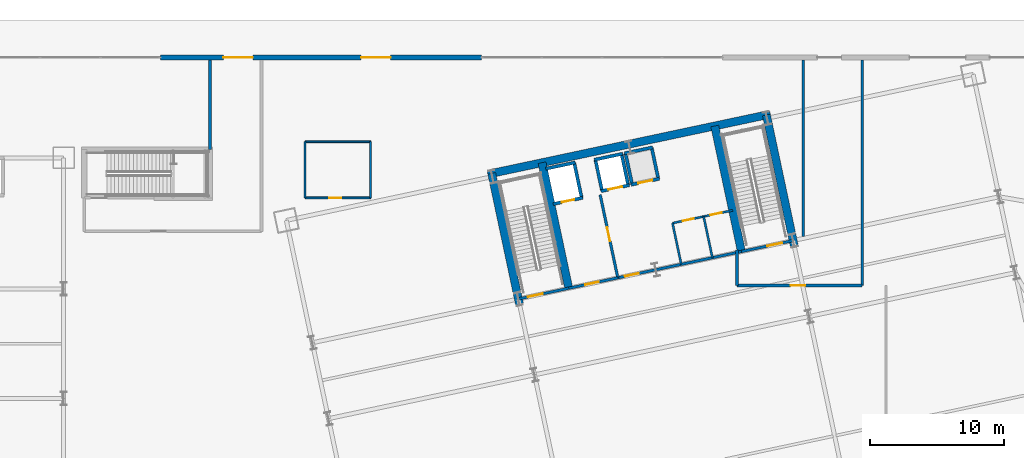
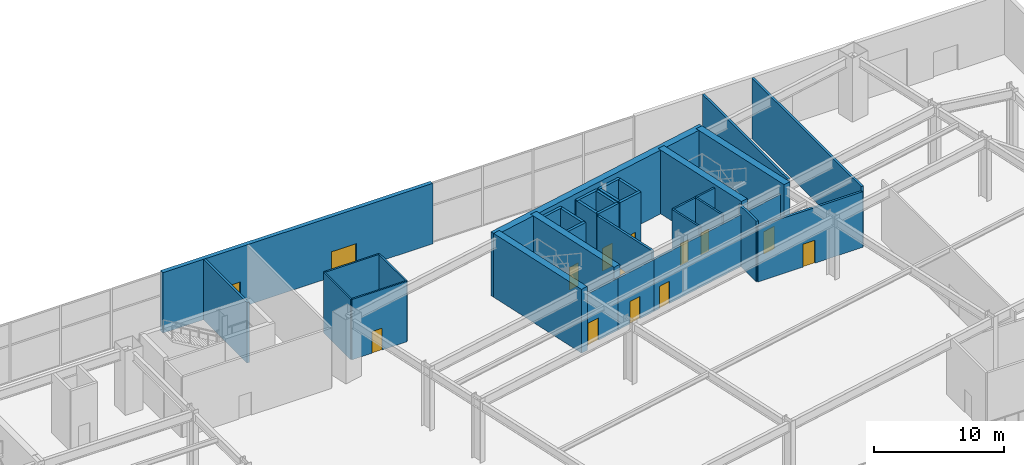
# One storey, part 23 of 30: 34 walls, 14 doors, 14 openings.
"""IFC4 building model written with IfcOpenShell, lengths in metres."""

from ifc_helpers import new_model, si_unit, direction, frame, frame_2d, origin, place, context, subcontext, project, spatial, rectangle, extrude, material, layer, layer_set, type_object, element, fill, save


model = new_model("IFC4")

# Units and contexts
model_context = context("Model", 3, precision=1e-05, world=origin(), true_north=direction((0.0, 1.0)))
body_context = subcontext(model_context, "Body", "Model", "MODEL_VIEW")
ifc_project = project(units=[si_unit("LENGTHUNIT", "METRE"), si_unit("AREAUNIT", "SQUARE_METRE"), si_unit("VOLUMEUNIT", "CUBIC_METRE"), si_unit("PLANEANGLEUNIT", "RADIAN"), si_unit("MASSUNIT", "GRAM", prefix="KILO")], contexts=[model_context])

# Site, building, storey
site_placement = place(None, origin())
site = spatial("IfcSite", under=ifc_project, at=site_placement, CompositionType="ELEMENT")
building_placement = place(site_placement, origin())
building = spatial("IfcBuilding", under=site, at=building_placement, Name="Haevon Station Towers", CompositionType="ELEMENT")
storey_placement = place(building_placement, origin())
storey = spatial("IfcBuildingStorey", under=building, at=storey_placement, Name="L00", CompositionType="ELEMENT", Elevation=0.0)

# Wall, opening, door
ifc_material_1 = material(Name="Gypsum board on steel stud", Category="steel")
ifc_layer_1 = layer(ifc_material_1, 0.199951171875)
ifc_layer_set_1 = layer_set([ifc_layer_1], Name="Gypsum board on steel stud")
wall_type_1 = type_object("IfcWallType", Name="WL-COR200", PredefinedType="PARTITIONING", material=ifc_layer_set_1)
wall_1_placement = place(storey_placement, frame((102.518310546875, 38.242919921875, 0.0), z_axis=(0.0, 0.0, 1.0), x_axis=(-0.978143537786, -0.207930804564, 0.0)))
wall_1 = element("IfcWall", 1, at=wall_1_placement, inside=storey, type_object=wall_type_1, Name="WL-ST-ST3-L00", PredefinedType="PARTITIONING", context=body_context, shape_type="SweptSolid", body=[
    extrude(rectangle(XDim=3.85009765625, YDim=0.199951171875, at=frame_2d((1.925048828125, 0.0))), origin(), (0.0, 0.0, 1.0), 4.8798828125),
])
opening_1_placement = place(wall_1_placement, frame((2.0, 0.0, 0.0)))
opening_1 = element("IfcOpeningElement", 2, at=opening_1_placement, cuts=wall_1, Name="Opening DR-ST-ST3-L00", PredefinedType="OPENING", context=body_context, shape_type="SweptSolid", body=[
    extrude(rectangle(XDim=1.1201171875, YDim=2.10009765625, at=frame_2d((0.56005859375, 1.050048828125))), frame((0.0, 0.10986328125, 0.0), z_axis=(0.0, -1.0, 0.0), x_axis=(1.0, 0.0, 0.0)), (0.0, 0.0, 1.0), 0.219970703125),
])
ifc_material_2 = material(Name="Engineered oak timber", Category="wood")
door_type_1 = type_object("IfcDoorType", Name="DR-ST-1120", OperationType="NOTDEFINED", PredefinedType="DOOR", material=ifc_material_2)
door_1_placement = place(opening_1_placement, origin())
door_1 = element("IfcDoor", 3, at=door_1_placement, inside=storey, type_object=door_type_1, Name="L00 Escape Stair ST3 Fire Door", OperationType="SINGLE_SWING_RIGHT", OverallHeight=2.10009765625, OverallWidth=1.1201171875, PredefinedType="DOOR", context=body_context, shape_type="SweptSolid", body=[
    extrude(rectangle(XDim=1.1201171875, YDim=2.10009765625, at=frame_2d((0.56005859375, 1.050048828125))), frame((0.0, 0.02490234375, 0.0), z_axis=(0.0, -1.0, 0.0), x_axis=(1.0, 0.0, 0.0)), (0.0, 0.0, 1.0), 0.050048828125),
])
fill(opening_1, door_1)

wall_2_placement = place(storey_placement, frame((119.29345703125, 41.80859375, 0.0), z_axis=(0.0, 0.0, 1.0), x_axis=(-0.978146596989, -0.207916413008, 0.0)))
wall_2 = element("IfcWall", 4, at=wall_2_placement, inside=storey, type_object=wall_type_1, Name="WL-ST-ST4-L00", PredefinedType="PARTITIONING", context=body_context, shape_type="SweptSolid", body=[
    extrude(rectangle(XDim=3.9501953125, YDim=0.199951171875, at=frame_2d((1.97509765625, 0.0))), origin(), (0.0, 0.0, 1.0), 4.8798828125),
])
opening_2_placement = place(wall_2_placement, frame((0.85009765625, 0.0, 0.0)))
opening_2 = element("IfcOpeningElement", 5, at=opening_2_placement, cuts=wall_2, Name="Opening DR-ST-ST4-L00", PredefinedType="OPENING", context=body_context, shape_type="SweptSolid", body=[
    extrude(rectangle(XDim=1.1201171875, YDim=2.10009765625, at=frame_2d((0.56005859375, 1.050048828125))), frame((0.0, 0.10986328125, 0.0), z_axis=(0.0, -1.0, 0.0), x_axis=(1.0, 0.0, 0.0)), (0.0, 0.0, 1.0), 0.219970703125),
])
door_2_placement = place(opening_2_placement, origin())
door_2 = element("IfcDoor", 6, at=door_2_placement, inside=storey, type_object=door_type_1, Name="L00 Escape Stair ST4 Fire Door", OperationType="SINGLE_SWING_LEFT", OverallHeight=2.10009765625, OverallWidth=1.1201171875, PredefinedType="DOOR", context=body_context, shape_type="SweptSolid", body=[
    extrude(rectangle(XDim=1.1201171875, YDim=2.10009765625, at=frame_2d((0.56005859375, 1.050048828125))), frame((0.0, 0.02490234375, 0.0), z_axis=(0.0, -1.0, 0.0), x_axis=(1.0, 0.0, 0.0)), (0.0, 0.0, 1.0), 0.050048828125),
])
fill(opening_2, door_2)

wall_3_placement = place(storey_placement, frame((106.186279296875, 39.0224609375, 0.0), z_axis=(0.0, 0.0, 1.0), x_axis=(-0.207916691923, 0.978146537703, 0.0)))
wall_3 = element("IfcWall", 7, at=wall_3_placement, inside=storey, type_object=wall_type_1, Name="WL-T2FFL-L00-E", PredefinedType="PARTITIONING", context=body_context, shape_type="SweptSolid", body=[
    extrude(rectangle(XDim=6.35009765625, YDim=0.199951171875, at=frame_2d((3.175048828125, 0.0))), origin(), (0.0, 0.0, 1.0), 5.679931640625),
])
opening_3_placement = place(wall_3_placement, frame((2.800048828125, 0.0, 0.0)))
opening_3 = element("IfcOpeningElement", 8, at=opening_3_placement, cuts=wall_3, Name="Opening DR-T2FFL-L00-E", PredefinedType="OPENING", context=body_context, shape_type="SweptSolid", body=[
    extrude(rectangle(XDim=1.050048828125, YDim=2.10009765625, at=frame_2d((0.52490234375, 1.050048828125))), frame((0.0, 0.10986328125, 0.0), z_axis=(0.0, -1.0, 0.0), x_axis=(1.0, 0.0, 0.0)), (0.0, 0.0, 1.0), 0.219970703125),
])
door_type_2 = type_object("IfcDoorType", Name="DR-FD60-1050", OperationType="NOTDEFINED", PredefinedType="DOOR", material=ifc_material_2)
door_3_placement = place(opening_3_placement, origin())
door_3 = element("IfcDoor", 9, at=door_3_placement, inside=storey, type_object=door_type_2, Name="L00 Tower 2 Firefighting Lift Lobby Door E", OperationType="SINGLE_SWING_RIGHT", OverallHeight=2.10009765625, OverallWidth=1.050048828125, PredefinedType="DOOR", context=body_context, shape_type="SweptSolid", body=[
    extrude(rectangle(XDim=1.050048828125, YDim=2.10009765625, at=frame_2d((0.52490234375, 1.050048828125))), frame((0.0, 0.02490234375, 0.0), z_axis=(0.0, -1.0, 0.0), x_axis=(1.0, 0.0, 0.0)), (0.0, 0.0, 1.0), 0.050048828125),
])
fill(opening_3, door_3)

wall_4_placement = place(storey_placement, frame((102.518310546875, 38.242919921875, 0.0), z_axis=(0.0, 0.0, 1.0), x_axis=(0.978153555683, 0.20788367301, 0.0)))
wall_4 = element("IfcWall", 10, at=wall_4_placement, inside=storey, type_object=wall_type_1, Name="WL-T2FFL-L00-S", PredefinedType="PARTITIONING", context=body_context, shape_type="SweptSolid", body=[
    extrude(rectangle(XDim=3.75, YDim=0.199951171875, at=frame_2d((1.875, 0.0))), origin(), (0.0, 0.0, 1.0), 4.8798828125),
])
opening_4_placement = place(wall_4_placement, frame((1.25, 0.0, 0.0)))
opening_4 = element("IfcOpeningElement", 11, at=opening_4_placement, cuts=wall_4, Name="Opening DR-T2FFL-L00-S", PredefinedType="OPENING", context=body_context, shape_type="SweptSolid", body=[
    extrude(rectangle(XDim=1.050048828125, YDim=2.10009765625, at=frame_2d((0.52490234375, 1.050048828125))), frame((0.0, 0.10986328125, 0.0), z_axis=(0.0, -1.0, 0.0), x_axis=(1.0, 0.0, 0.0)), (0.0, 0.0, 1.0), 0.219970703125),
])
door_4_placement = place(opening_4_placement, origin())
door_4 = element("IfcDoor", 12, at=door_4_placement, inside=storey, type_object=door_type_2, Name="L00 Tower 2 Firefighting Lift Lobby Door S", OperationType="SINGLE_SWING_LEFT", OverallHeight=2.10009765625, OverallWidth=1.050048828125, PredefinedType="DOOR", context=body_context, shape_type="SweptSolid", body=[
    extrude(rectangle(XDim=1.050048828125, YDim=2.10009765625, at=frame_2d((0.52490234375, 1.050048828125))), frame((0.0, 0.02490234375, 0.0), z_axis=(0.0, -1.0, 0.0), x_axis=(1.0, 0.0, 0.0)), (0.0, 0.0, 1.0), 0.050048828125),
])
fill(opening_4, door_4)

wall_5_placement = place(storey_placement, frame((106.186279296875, 39.0224609375, 0.0), z_axis=(0.0, 0.0, 1.0), x_axis=(0.978145519981, 0.20792147975, 0.0)))
wall_5 = element("IfcWall", 13, at=wall_5_placement, inside=storey, type_object=wall_type_1, Name="WL-T2CLB-L00", PredefinedType="PARTITIONING", context=body_context, shape_type="SweptSolid", body=[
    extrude(rectangle(XDim=9.449951171875, YDim=0.199951171875, at=frame_2d((4.72509765625, 0.0))), origin(), (0.0, 0.0, 1.0), 4.8798828125),
])
opening_5_placement = place(wall_5_placement, frame((0.550048828125, 0.0, 0.0)))
opening_5 = element("IfcOpeningElement", 14, at=opening_5_placement, cuts=wall_5, Name="Opening DR-T2CLB-L00-1", PredefinedType="OPENING", context=body_context, shape_type="SweptSolid", body=[
    extrude(rectangle(XDim=1.050048828125, YDim=2.10009765625, at=frame_2d((0.52490234375, 1.050048828125))), frame((0.0, 0.10986328125, 0.0), z_axis=(0.0, -1.0, 0.0), x_axis=(1.0, 0.0, 0.0)), (0.0, 0.0, 1.0), 0.219970703125),
])
door_5_placement = place(opening_5_placement, origin())
door_5 = element("IfcDoor", 15, at=door_5_placement, inside=storey, type_object=door_type_2, Name="L00 Tower 2 Core Lift Lobby Door 1", OperationType="SINGLE_SWING_RIGHT", OverallHeight=2.10009765625, OverallWidth=1.050048828125, PredefinedType="DOOR", context=body_context, shape_type="SweptSolid", body=[
    extrude(rectangle(XDim=1.050048828125, YDim=2.10009765625, at=frame_2d((0.52490234375, 1.050048828125))), frame((0.0, 0.02490234375, 0.0), z_axis=(0.0, -1.0, 0.0), x_axis=(1.0, 0.0, 0.0)), (0.0, 0.0, 1.0), 0.050048828125),
])
fill(opening_5, door_5)

# Wall
wall_6_placement = place(storey_placement, frame((75.699951171875, 48.60009765625, 0.0), z_axis=(0.0, 0.0, 1.0), x_axis=(0.0, 1.0, 0.0)))
element("IfcWall", 16, at=wall_6_placement, inside=storey, type_object=wall_type_1, Name="WL-L00-EX6-WN", PredefinedType="PARTITIONING", context=body_context, shape_type="SweptSolid", body=[
    extrude(rectangle(XDim=6.699951171875, YDim=0.199951171875, at=frame_2d((3.35009765625, 0.0))), origin(), (0.0, 0.0, 1.0), 5.679931640625),
])

# Wall, opening, door
wall_7_placement = place(storey_placement, frame((115.10009765625, 38.449951171875, 0.0), z_axis=(0.0, 0.0, 1.0), x_axis=(1.0, 0.0, 0.0)))
wall_7 = element("IfcWall", 17, at=wall_7_placement, inside=storey, type_object=wall_type_1, Name="WL-L00-EX4-S", PredefinedType="PARTITIONING", context=body_context, shape_type="SweptSolid", body=[
    extrude(rectangle(XDim=9.349853515625, YDim=0.199951171875, at=frame_2d((4.6748046875, 0.0))), origin(), (0.0, 0.0, 1.0), 5.22998046875),
])
opening_6_placement = place(wall_7_placement, frame((4.0, 0.0, 0.0)))
opening_6 = element("IfcOpeningElement", 18, at=opening_6_placement, cuts=wall_7, Name="Opening DR-WL-L00-EX4-S-1", PredefinedType="OPENING", context=body_context, shape_type="SweptSolid", body=[
    extrude(rectangle(XDim=1.10009765625, YDim=2.14990234375, at=frame_2d((0.550048828125, 1.074951171875))), frame((0.0, 0.10986328125, 0.0), z_axis=(0.0, -1.0, 0.0), x_axis=(1.0, 0.0, 0.0)), (0.0, 0.0, 1.0), 0.219970703125),
])
door_type_3 = type_object("IfcDoorType", Name="DR-FD60-1100", OperationType="NOTDEFINED", PredefinedType="DOOR", material=ifc_material_2)
door_6_placement = place(opening_6_placement, origin())
door_6 = element("IfcDoor", 19, at=door_6_placement, inside=storey, type_object=door_type_3, Name="L00 Interior Door WL-L00-EX4-S-1", OperationType="SINGLE_SWING_RIGHT", OverallHeight=2.14990234375, OverallWidth=1.10009765625, PredefinedType="DOOR", context=body_context, shape_type="SweptSolid", body=[
    extrude(rectangle(XDim=1.10009765625, YDim=2.14990234375, at=frame_2d((0.550048828125, 1.074951171875))), frame((0.0, 0.02490234375, 0.0), z_axis=(0.0, -1.0, 0.0), x_axis=(1.0, 0.0, 0.0)), (0.0, 0.0, 1.0), 0.050048828125),
])
fill(opening_6, door_6)

# Walls
wall_8_placement = place(storey_placement, frame((115.10009765625, 38.449951171875, 0.0), z_axis=(0.0, 0.0, 1.0), x_axis=(0.0, 1.0, 0.0)))
element("IfcWall", 20, at=wall_8_placement, inside=storey, type_object=wall_type_1, Name="WL-L00-EX4-W", PredefinedType="PARTITIONING", context=body_context, shape_type="SweptSolid", body=[
    extrude(rectangle(XDim=2.650146484375, YDim=0.199951171875, at=frame_2d((1.3251953125, 0.0))), origin(), (0.0, 0.0, 1.0), 5.679931640625),
])
wall_9_placement = place(storey_placement, frame((124.449951171875, 38.449951171875, 0.0), z_axis=(0.0, 0.0, 1.0), x_axis=(0.0, 1.0, 0.0)))
element("IfcWall", 21, at=wall_9_placement, inside=storey, type_object=wall_type_1, Name="WL-L00-EX4-E", PredefinedType="PARTITIONING", context=body_context, shape_type="SweptSolid", body=[
    extrude(rectangle(XDim=16.85009765625, YDim=0.199951171875, at=frame_2d((8.425048828125, 0.0))), origin(), (0.0, 0.0, 1.0), 5.679931640625),
])
wall_10_placement = place(storey_placement, frame((120.050048828125, 42.10009765625, 0.0), z_axis=(0.0, 0.0, 1.0), x_axis=(0.0, 1.0, 0.0)))
element("IfcWall", 22, at=wall_10_placement, inside=storey, type_object=wall_type_1, Name="WL-L00-EX4-WN", PredefinedType="PARTITIONING", context=body_context, shape_type="SweptSolid", body=[
    extrude(rectangle(XDim=13.199951171875, YDim=0.199951171875, at=frame_2d((6.60009765625, 0.0))), origin(), (0.0, 0.0, 1.0), 5.679931640625),
])
ifc_material_3 = material(Name="Concrete C60/75", Category="concrete")
ifc_layer_2 = layer(ifc_material_3, 0.60009765625)
ifc_layer_set_2 = layer_set([ifc_layer_2], Name="Concrete C60/75")
wall_type_2 = type_object("IfcWallType", Name="WL-CR600", PredefinedType="SHEAR", material=ifc_layer_set_2)
wall_11_placement = place(storey_placement, frame((96.462890625, 46.770263671875, 0.0), z_axis=(0.0, 0.0, 1.0), x_axis=(0.978147272959, 0.207913232873, 0.0)))
element("IfcWall", 23, at=wall_11_placement, inside=storey, type_object=wall_type_2, Name="WL-T2CR-L00-N", PredefinedType="SHEAR", context=body_context, shape_type="SweptSolid", body=[
    extrude(rectangle(XDim=21.60009765625, YDim=0.60009765625, at=frame_2d((10.800048828125, 0.0))), origin(), (0.0, 0.0, 1.0), 6.0),
])
wall_12_placement = place(storey_placement, frame((98.8603515625, 36.933837890625, 0.0), z_axis=(0.0, 0.0, 1.0), x_axis=(-0.20790924889, 0.978148119778, 0.0)))
element("IfcWall", 24, at=wall_12_placement, inside=storey, type_object=wall_type_2, Name="WL-T2CR-L00-W", PredefinedType="SHEAR", context=body_context, shape_type="SweptSolid", body=[
    extrude(rectangle(XDim=10.119873046875, YDim=0.60009765625, at=frame_2d((5.06005859375, 0.0))), origin(), (0.0, 0.0, 1.0), 6.0),
])
wall_13_placement = place(storey_placement, frame((119.401611328125, 41.2998046875, 0.0), z_axis=(0.0, 0.0, 1.0), x_axis=(-0.207904342798, 0.978149162575, 0.0)))
element("IfcWall", 25, at=wall_13_placement, inside=storey, type_object=wall_type_2, Name="WL-T2CR-L00-E", PredefinedType="SHEAR", context=body_context, shape_type="SweptSolid", body=[
    extrude(rectangle(XDim=10.1201171875, YDim=0.60009765625, at=frame_2d((5.06005859375, 0.0))), origin(), (0.0, 0.0, 1.0), 6.0),
])
for number, where, z_axis, x_axis, name in (
    (26, (102.518310546875, 38.242919921875, 0.0), (0.0, 0.0, 1.0), (-0.207927495108, 0.978144241295, 0.0), "WL-T2CR-L00-M1"),
    (27, (115.4296875, 40.9873046875, 0.0), (0.0, 0.0, 1.0), (-0.207903162969, 0.978149413345, 0.0), "WL-T2CR-L00-M2"),
):
    element("IfcWall", number, at=place(storey_placement, frame(where, z_axis=z_axis, x_axis=x_axis)), inside=storey, type_object=wall_type_2, Name=name, PredefinedType="SHEAR", context=body_context, shape_type="SweptSolid", body=[
        extrude(rectangle(XDim=9.599853515625, YDim=0.60009765625, at=frame_2d((4.7998046875, 0.0))), origin(), (0.0, 0.0, 1.0), 6.0),
    ])

# Wall, openings, doors
ifc_material_4 = material(Name="Precast concrete C45/55", Category="concrete")
ifc_layer_3 = layer(ifc_material_4, 0.360107421875)
ifc_layer_set_3 = layer_set([ifc_layer_3], Name="Precast concrete C45/55")
wall_type_3 = type_object("IfcWallType", Name="WL-EXT-POD360", PredefinedType="SOLIDWALL", material=ifc_layer_set_3)
wall_14_placement = place(storey_placement, frame((72.0, 55.5, 0.0), z_axis=(0.0, 0.0, 1.0), x_axis=(1.0, 0.0, 0.0)))
wall_14 = element("IfcWall", 28, at=wall_14_placement, inside=storey, type_object=wall_type_3, Name="WL-POD-L00-N2", PredefinedType="SOLIDWALL", context=body_context, shape_type="SweptSolid", body=[
    extrude(rectangle(XDim=24.0, YDim=0.360107421875, at=frame_2d((12.0, 0.0))), origin(), (0.0, 0.0, 1.0), 5.679931640625),
])
opening_7_placement = place(wall_14_placement, frame((4.699951171875, 0.0, 0.0)))
opening_7 = element("IfcOpeningElement", 29, at=opening_7_placement, cuts=wall_14, Name="Opening DR-L00-EXIT-07", PredefinedType="OPENING", context=body_context, shape_type="SweptSolid", body=[
    extrude(rectangle(XDim=2.199951171875, YDim=2.39990234375, at=frame_2d((1.10009765625, 1.199951171875))), frame((0.0, 0.18994140625, 0.0), z_axis=(0.0, -1.0, 0.0), x_axis=(1.0, 0.0, 0.0)), (0.0, 0.0, 1.0), 0.380126953125),
])
opening_8_placement = place(wall_14_placement, frame((15.0, 0.0, 0.0)))
opening_8 = element("IfcOpeningElement", 30, at=opening_8_placement, cuts=wall_14, Name="Opening DR-L00-EXIT-09", PredefinedType="OPENING", context=body_context, shape_type="SweptSolid", body=[
    extrude(rectangle(XDim=2.199951171875, YDim=2.39990234375, at=frame_2d((1.10009765625, 1.199951171875))), frame((0.0, 0.18994140625, 0.0), z_axis=(0.0, -1.0, 0.0), x_axis=(1.0, 0.0, 0.0)), (0.0, 0.0, 1.0), 0.380126953125),
])
ifc_material_5 = material(Name="Thermally broken anodised aluminium and laminated safety glass", Category="aluminium")
door_type_4 = type_object("IfcDoorType", Name="DR-EXT-2200", OperationType="NOTDEFINED", PredefinedType="DOOR", material=ifc_material_5)
door_7_placement = place(opening_7_placement, origin())
door_7 = element("IfcDoor", 31, at=door_7_placement, inside=storey, type_object=door_type_4, Name="L00 Pedestrian Street Exit Door 07", OperationType="DOUBLE_DOOR_SINGLE_SWING", OverallHeight=2.39990234375, OverallWidth=2.199951171875, PredefinedType="DOOR", context=body_context, shape_type="SweptSolid", body=[
    extrude(rectangle(XDim=2.199951171875, YDim=2.39990234375, at=frame_2d((1.10009765625, 1.199951171875))), frame((0.0, 0.02490234375, 0.0), z_axis=(0.0, -1.0, 0.0), x_axis=(1.0, 0.0, 0.0)), (0.0, 0.0, 1.0), 0.050048828125),
])
fill(opening_7, door_7)
door_8_placement = place(opening_8_placement, origin())
door_8 = element("IfcDoor", 32, at=door_8_placement, inside=storey, type_object=door_type_4, Name="L00 Pedestrian Street Exit Door 09", OperationType="DOUBLE_DOOR_SINGLE_SWING", OverallHeight=2.39990234375, OverallWidth=2.199951171875, PredefinedType="DOOR", context=body_context, shape_type="SweptSolid", body=[
    extrude(rectangle(XDim=2.199951171875, YDim=2.39990234375, at=frame_2d((1.10009765625, 1.199951171875))), frame((0.0, 0.02490234375, 0.0), z_axis=(0.0, -1.0, 0.0), x_axis=(1.0, 0.0, 0.0)), (0.0, 0.0, 1.0), 0.050048828125),
])
fill(opening_8, door_8)

# Wall, opening, door
ifc_layer_4 = layer(ifc_material_1, 0.139892578125)
ifc_layer_set_4 = layer_set([ifc_layer_4], Name="Gypsum board on steel stud")
wall_type_4 = type_object("IfcWallType", Name="WL-PRT140", PredefinedType="PARTITIONING", material=ifc_layer_set_4)
wall_15_placement = place(storey_placement, frame((82.800048828125, 45.0, 0.0), z_axis=(0.0, 0.0, 1.0), x_axis=(1.0, 0.0, 0.0)))
wall_15 = element("IfcWall", 33, at=wall_15_placement, inside=storey, type_object=wall_type_4, Name="WL-L00-WCS", PredefinedType="PARTITIONING", context=body_context, shape_type="SweptSolid", body=[
    extrude(rectangle(XDim=4.89990234375, YDim=0.139892578125, at=frame_2d((2.449951171875, 0.0))), origin(), (0.0, 0.0, 1.0), 5.679931640625),
])
opening_9_placement = place(wall_15_placement, frame((1.800048828125, 0.0, 0.0)))
opening_9 = element("IfcOpeningElement", 34, at=opening_9_placement, cuts=wall_15, Name="Opening DR-WL-L00-WCS-1", PredefinedType="OPENING", context=body_context, shape_type="SweptSolid", body=[
    extrude(rectangle(XDim=0.89990234375, YDim=2.050048828125, at=frame_2d((0.449951171875, 1.02490234375))), frame((0.0, 0.079833984375, 0.0), z_axis=(0.0, -1.0, 0.0), x_axis=(1.0, 0.0, 0.0)), (0.0, 0.0, 1.0), 0.159912109375),
])
door_type_5 = type_object("IfcDoorType", Name="DR-INT-900", OperationType="NOTDEFINED", PredefinedType="DOOR", material=ifc_material_2)
door_9_placement = place(opening_9_placement, origin())
door_9 = element("IfcDoor", 35, at=door_9_placement, inside=storey, type_object=door_type_5, Name="L00 Interior Door WL-L00-WCS-1", OperationType="SINGLE_SWING_LEFT", OverallHeight=2.050048828125, OverallWidth=0.89990234375, PredefinedType="DOOR", context=body_context, shape_type="SweptSolid", body=[
    extrude(rectangle(XDim=0.89990234375, YDim=2.050048828125, at=frame_2d((0.449951171875, 1.02490234375))), frame((0.0, 0.02490234375, 0.0), z_axis=(0.0, -1.0, 0.0), x_axis=(1.0, 0.0, 0.0)), (0.0, 0.0, 1.0), 0.050048828125),
])
fill(opening_9, door_9)

# Walls
wall_16_placement = place(storey_placement, frame((82.800048828125, 49.199951171875, 0.0), z_axis=(0.0, 0.0, 1.0), x_axis=(1.0, 0.0, 0.0)))
element("IfcWall", 36, at=wall_16_placement, inside=storey, type_object=wall_type_4, Name="WL-L00-WCN", PredefinedType="PARTITIONING", context=body_context, shape_type="SweptSolid", body=[
    extrude(rectangle(XDim=4.89990234375, YDim=0.139892578125, at=frame_2d((2.449951171875, 0.0))), origin(), (0.0, 0.0, 1.0), 5.679931640625),
])
for number, where, z_axis, x_axis, name in (
    (37, (82.800048828125, 45.0, 0.0), (0.0, 0.0, 1.0), (0.0, 1.0, 0.0), "WL-L00-WCW"),
    (38, (87.699951171875, 45.0, 0.0), (0.0, 0.0, 1.0), (0.0, 1.0, 0.0), "WL-L00-WCE"),
):
    element("IfcWall", number, at=place(storey_placement, frame(where, z_axis=z_axis, x_axis=x_axis)), inside=storey, type_object=wall_type_4, Name=name, PredefinedType="PARTITIONING", context=body_context, shape_type="SweptSolid", body=[
        extrude(rectangle(XDim=4.199951171875, YDim=0.139892578125, at=frame_2d((2.10009765625, 0.0))), origin(), (0.0, 0.0, 1.0), 5.679931640625),
    ])
ifc_layer_5 = layer(ifc_material_1, 0.159912109375)
ifc_layer_set_5 = layer_set([ifc_layer_5], Name="Gypsum board on steel stud")
wall_type_5 = type_object("IfcWallType", Name="WL-PRT160", PredefinedType="PARTITIONING", material=ifc_layer_set_5)
wall_17_placement = place(storey_placement, frame((110.93017578125, 40.031005859375, 0.0), z_axis=(0.0, 0.0, 1.0), x_axis=(-0.207877295669, 0.978154911016, 0.0)))
element("IfcWall", 39, at=wall_17_placement, inside=storey, type_object=wall_type_5, Name="WL-T2CW-L00-01", PredefinedType="PARTITIONING", context=body_context, shape_type="SweptSolid", body=[
    extrude(rectangle(XDim=3.14990234375, YDim=0.159912109375, at=frame_2d((1.574951171875, 0.0))), origin(), (0.0, 0.0, 1.0), 5.679931640625),
])
wall_18_placement = place(storey_placement, frame((113.25830078125, 40.525634765625, 0.0), z_axis=(0.0, 0.0, 1.0), x_axis=(-0.207935688634, 0.978142499533, 0.0)))
element("IfcWall", 40, at=wall_18_placement, inside=storey, type_object=wall_type_5, Name="WL-T2CW-L00-02", PredefinedType="PARTITIONING", context=body_context, shape_type="SweptSolid", body=[
    extrude(rectangle(XDim=3.150146484375, YDim=0.159912109375, at=frame_2d((1.5751953125, 0.0))), origin(), (0.0, 0.0, 1.0), 5.679931640625),
])

# Wall, openings, doors
wall_19_placement = place(storey_placement, frame((110.275390625, 43.112060546875, 0.0), z_axis=(0.0, 0.0, 1.0), x_axis=(0.978152106073, 0.207890493732, 0.0)))
wall_19 = element("IfcWall", 41, at=wall_19_placement, inside=storey, type_object=wall_type_5, Name="WL-T2CW-L00-03", PredefinedType="PARTITIONING", context=body_context, shape_type="SweptSolid", body=[
    extrude(rectangle(XDim=4.60009765625, YDim=0.159912109375, at=frame_2d((2.300048828125, 0.0))), origin(), (0.0, 0.0, 1.0), 5.679931640625),
])
opening_10_placement = place(wall_19_placement, frame((0.784912109375, 0.0, 0.0)))
opening_10 = element("IfcOpeningElement", 42, at=opening_10_placement, cuts=wall_19, Name="Opening DR-WL-T2CW-L00-03-1", PredefinedType="OPENING", context=body_context, shape_type="SweptSolid", body=[
    extrude(rectangle(XDim=0.85009765625, YDim=2.050048828125, at=frame_2d((0.425048828125, 1.02490234375))), frame((0.0, 0.08984375, 0.0), z_axis=(0.0, -1.0, 0.0), x_axis=(1.0, 0.0, 0.0)), (0.0, 0.0, 1.0), 0.179931640625),
])
opening_11_placement = place(wall_19_placement, frame((2.905029296875, 0.0, 0.0)))
opening_11 = element("IfcOpeningElement", 43, at=opening_11_placement, cuts=wall_19, Name="Opening DR-WL-T2CW-L00-03-2", PredefinedType="OPENING", context=body_context, shape_type="SweptSolid", body=[
    extrude(rectangle(XDim=0.85009765625, YDim=2.050048828125, at=frame_2d((0.425048828125, 1.02490234375))), frame((0.0, 0.08984375, 0.0), z_axis=(0.0, -1.0, 0.0), x_axis=(1.0, 0.0, 0.0)), (0.0, 0.0, 1.0), 0.179931640625),
])
door_type_6 = type_object("IfcDoorType", Name="DR-FD30-850", OperationType="NOTDEFINED", PredefinedType="DOOR", material=ifc_material_2)
door_10_placement = place(opening_10_placement, origin())
door_10 = element("IfcDoor", 44, at=door_10_placement, inside=storey, type_object=door_type_6, Name="L00 Tower 2 Core Room Door 3-1", OperationType="SINGLE_SWING_RIGHT", OverallHeight=2.050048828125, OverallWidth=0.85009765625, PredefinedType="DOOR", context=body_context, shape_type="SweptSolid", body=[
    extrude(rectangle(XDim=0.85009765625, YDim=2.050048828125, at=frame_2d((0.425048828125, 1.02490234375))), frame((0.0, 0.02490234375, 0.0), z_axis=(0.0, -1.0, 0.0), x_axis=(1.0, 0.0, 0.0)), (0.0, 0.0, 1.0), 0.050048828125),
])
fill(opening_10, door_10)
door_11_placement = place(opening_11_placement, origin())
door_11 = element("IfcDoor", 45, at=door_11_placement, inside=storey, type_object=door_type_6, Name="L00 Tower 2 Core Room Door 3-2", OperationType="SINGLE_SWING_LEFT", OverallHeight=2.050048828125, OverallWidth=0.85009765625, PredefinedType="DOOR", context=body_context, shape_type="SweptSolid", body=[
    extrude(rectangle(XDim=0.85009765625, YDim=2.050048828125, at=frame_2d((0.425048828125, 1.02490234375))), frame((0.0, 0.02490234375, 0.0), z_axis=(0.0, -1.0, 0.0), x_axis=(1.0, 0.0, 0.0)), (0.0, 0.0, 1.0), 0.050048828125),
])
fill(opening_11, door_11)

# Wall, opening, door
ifc_material_6 = material(Name="Concrete C40/50", Category="concrete")
ifc_layer_6 = layer(ifc_material_6, 0.239990234375)
ifc_layer_set_6 = layer_set([ifc_layer_6], Name="Concrete C40/50")
wall_type_6 = type_object("IfcWallType", Name="WL-SHF240", PredefinedType="PARTITIONING", material=ifc_layer_set_6)
wall_20_placement = place(storey_placement, frame((101.353759765625, 44.538330078125, 0.0), z_axis=(0.0, 0.0, 1.0), x_axis=(0.978141002414, 0.207942731049, 0.0)))
wall_20 = element("IfcWall", 46, at=wall_20_placement, inside=storey, type_object=wall_type_6, Name="WL-SHF-FL2-L00", PredefinedType="PARTITIONING", context=body_context, shape_type="SweptSolid", body=[
    extrude(rectangle(XDim=2.260009765625, YDim=0.239990234375, at=frame_2d((1.1298828125, 0.0))), origin(), (0.0, 0.0, 1.0), 5.679931640625),
])
opening_12_placement = place(wall_20_placement, frame((0.655029296875, 0.0, 0.0)))
opening_12 = element("IfcOpeningElement", 47, at=opening_12_placement, cuts=wall_20, Name="Opening LD-FL2-L00", PredefinedType="OPENING", context=body_context, shape_type="SweptSolid", body=[
    extrude(rectangle(XDim=0.949951171875, YDim=2.14990234375, at=frame_2d((0.47509765625, 1.074951171875))), frame((0.0, 0.1298828125, 0.0), z_axis=(0.0, -1.0, 0.0), x_axis=(1.0, 0.0, 0.0)), (0.0, 0.0, 1.0), 0.260009765625),
])
ifc_material_7 = material(Name="Stainless steel and rated core", Category="steel")
door_type_7 = type_object("IfcDoorType", Name="LD-FL950", OperationType="SLIDING_TO_LEFT", PredefinedType="DOOR", material=ifc_material_7)
door_12_placement = place(opening_12_placement, origin())
door_12 = element("IfcDoor", 48, at=door_12_placement, inside=storey, type_object=door_type_7, Name="L00 Lift FL2 Sliding Landing Door", OperationType="SLIDING_TO_LEFT", OverallHeight=2.14990234375, OverallWidth=0.949951171875, PredefinedType="DOOR", context=body_context, shape_type="SweptSolid", body=[
    extrude(rectangle(XDim=0.949951171875, YDim=2.14990234375, at=frame_2d((0.47509765625, 1.074951171875))), frame((0.0, 0.02490234375, 0.0), z_axis=(0.0, -1.0, 0.0), x_axis=(1.0, 0.0, 0.0)), (0.0, 0.0, 1.0), 0.050048828125),
])
fill(opening_12, door_12)

# Walls
wall_21_placement = place(storey_placement, frame((100.79248046875, 47.179443359375, 0.0), z_axis=(0.0, 0.0, 1.0), x_axis=(0.978162968872, 0.207839376268, 0.0)))
element("IfcWall", 49, at=wall_21_placement, inside=storey, type_object=wall_type_6, Name="WL-SHF-FL2-L00-N", PredefinedType="PARTITIONING", context=body_context, shape_type="SweptSolid", body=[
    extrude(rectangle(XDim=2.260009765625, YDim=0.239990234375, at=frame_2d((1.1298828125, 0.0))), origin(), (0.0, 0.0, 1.0), 5.679931640625),
])
wall_22_placement = place(storey_placement, frame((103.486328125, 44.99169921875, 0.0), z_axis=(0.0, 0.0, 1.0), x_axis=(-0.207978798957, 0.978133334052, 0.0)))
element("IfcWall", 50, at=wall_22_placement, inside=storey, type_object=wall_type_6, Name="WL-SHF-FL2-L00-E", PredefinedType="PARTITIONING", context=body_context, shape_type="SweptSolid", body=[
    extrude(rectangle(XDim=2.699951171875, YDim=0.239990234375, at=frame_2d((1.35009765625, 0.0))), origin(), (0.0, 0.0, 1.0), 5.679931640625),
])

# Wall, opening, door
wall_23_placement = place(storey_placement, frame((104.931396484375, 45.503173828125, 0.0), z_axis=(0.0, 0.0, 1.0), x_axis=(0.97813528961, 0.207969601673, 0.0)))
wall_23 = element("IfcWall", 51, at=wall_23_placement, inside=storey, type_object=wall_type_6, Name="WL-SHF-PL7-L00", PredefinedType="PARTITIONING", context=body_context, shape_type="SweptSolid", body=[
    extrude(rectangle(XDim=2.159912109375, YDim=0.239990234375, at=frame_2d((1.080078125, 0.0))), origin(), (0.0, 0.0, 1.0), 5.679931640625),
])
opening_13_placement = place(wall_23_placement, frame((0.554931640625, 0.0, 0.0)))
opening_13 = element("IfcOpeningElement", 52, at=opening_13_placement, cuts=wall_23, Name="Opening LD-PL7-L00", PredefinedType="OPENING", context=body_context, shape_type="SweptSolid", body=[
    extrude(rectangle(XDim=1.050048828125, YDim=2.14990234375, at=frame_2d((0.52490234375, 1.074951171875))), frame((0.0, 0.1298828125, 0.0), z_axis=(0.0, -1.0, 0.0), x_axis=(1.0, 0.0, 0.0)), (0.0, 0.0, 1.0), 0.260009765625),
])
door_type_8 = type_object("IfcDoorType", Name="LD-PL1050", OperationType="SLIDING_TO_LEFT", PredefinedType="DOOR", material=ifc_material_7)
door_13_placement = place(opening_13_placement, origin())
door_13 = element("IfcDoor", 53, at=door_13_placement, inside=storey, type_object=door_type_8, Name="L00 Lift PL7 Sliding Landing Door", OperationType="SLIDING_TO_LEFT", OverallHeight=2.14990234375, OverallWidth=1.050048828125, PredefinedType="DOOR", context=body_context, shape_type="SweptSolid", body=[
    extrude(rectangle(XDim=1.050048828125, YDim=2.14990234375, at=frame_2d((0.52490234375, 1.074951171875))), frame((0.0, 0.02490234375, 0.0), z_axis=(0.0, -1.0, 0.0), x_axis=(1.0, 0.0, 0.0)), (0.0, 0.0, 1.0), 0.050048828125),
])
fill(opening_13, door_13)

# Walls
wall_24_placement = place(storey_placement, frame((104.432373046875, 47.850830078125, 0.0), z_axis=(0.0, 0.0, 1.0), x_axis=(0.978158276388, 0.207861459473, 0.0)))
element("IfcWall", 54, at=wall_24_placement, inside=storey, type_object=wall_type_6, Name="WL-SHF-PL7-L00-N", PredefinedType="PARTITIONING", context=body_context, shape_type="SweptSolid", body=[
    extrude(rectangle(XDim=2.159912109375, YDim=0.239990234375, at=frame_2d((1.080078125, 0.0))), origin(), (0.0, 0.0, 1.0), 5.679931640625),
])
wall_25_placement = place(storey_placement, frame((105.009765625, 45.519775390625, 0.0), z_axis=(0.0, 0.0, 1.0), x_axis=(-0.207917150959, 0.978146440129, 0.0)))
element("IfcWall", 55, at=wall_25_placement, inside=storey, type_object=wall_type_6, Name="WL-SHF-PL7-L00-W", PredefinedType="PARTITIONING", context=body_context, shape_type="SweptSolid", body=[
    extrude(rectangle(XDim=2.400146484375, YDim=0.239990234375, at=frame_2d((1.2001953125, 0.0))), origin(), (0.0, 0.0, 1.0), 5.679931640625),
])
wall_26_placement = place(storey_placement, frame((106.966064453125, 45.935791015625, 0.0), z_axis=(0.0, 0.0, 1.0), x_axis=(-0.207937840262, 0.978142042133, 0.0)))
element("IfcWall", 56, at=wall_26_placement, inside=storey, type_object=wall_type_6, Name="WL-SHF-PL7-L00-E", PredefinedType="PARTITIONING", context=body_context, shape_type="SweptSolid", body=[
    extrude(rectangle(XDim=2.39990234375, YDim=0.239990234375, at=frame_2d((1.199951171875, 0.0))), origin(), (0.0, 0.0, 1.0), 5.679931640625),
])

# Wall, opening, door
wall_27_placement = place(storey_placement, frame((107.18115234375, 45.9814453125, 0.0), z_axis=(0.0, 0.0, 1.0), x_axis=(0.97813528961, 0.207969601673, 0.0)))
wall_27 = element("IfcWall", 57, at=wall_27_placement, inside=storey, type_object=wall_type_6, Name="WL-SHF-PL8-L00", PredefinedType="PARTITIONING", context=body_context, shape_type="SweptSolid", body=[
    extrude(rectangle(XDim=2.159912109375, YDim=0.239990234375, at=frame_2d((1.080078125, 0.0))), origin(), (0.0, 0.0, 1.0), 5.679931640625),
])
opening_14_placement = place(wall_27_placement, frame((0.554931640625, 0.0, 0.0)))
opening_14 = element("IfcOpeningElement", 58, at=opening_14_placement, cuts=wall_27, Name="Opening LD-PL8-L00", PredefinedType="OPENING", context=body_context, shape_type="SweptSolid", body=[
    extrude(rectangle(XDim=1.050048828125, YDim=2.14990234375, at=frame_2d((0.52490234375, 1.074951171875))), frame((0.0, 0.1298828125, 0.0), z_axis=(0.0, -1.0, 0.0), x_axis=(1.0, 0.0, 0.0)), (0.0, 0.0, 1.0), 0.260009765625),
])
door_14_placement = place(opening_14_placement, origin())
door_14 = element("IfcDoor", 59, at=door_14_placement, inside=storey, type_object=door_type_8, Name="L00 Lift PL8 Sliding Landing Door", OperationType="SLIDING_TO_LEFT", OverallHeight=2.14990234375, OverallWidth=1.050048828125, PredefinedType="DOOR", context=body_context, shape_type="SweptSolid", body=[
    extrude(rectangle(XDim=1.050048828125, YDim=2.14990234375, at=frame_2d((0.52490234375, 1.074951171875))), frame((0.0, 0.02490234375, 0.0), z_axis=(0.0, -1.0, 0.0), x_axis=(1.0, 0.0, 0.0)), (0.0, 0.0, 1.0), 0.050048828125),
])
fill(opening_14, door_14)

# Walls
wall_28_placement = place(storey_placement, frame((106.68212890625, 48.3291015625, 0.0), z_axis=(0.0, 0.0, 1.0), x_axis=(0.978158276388, 0.207861459473, 0.0)))
element("IfcWall", 60, at=wall_28_placement, inside=storey, type_object=wall_type_6, Name="WL-SHF-PL8-L00-N", PredefinedType="PARTITIONING", context=body_context, shape_type="SweptSolid", body=[
    extrude(rectangle(XDim=2.159912109375, YDim=0.239990234375, at=frame_2d((1.080078125, 0.0))), origin(), (0.0, 0.0, 1.0), 5.679931640625),
])
for number, where, z_axis, x_axis, name in (
    (61, (107.259521484375, 45.998046875, 0.0), (0.0, 0.0, 1.0), (-0.207917150959, 0.978146440129, 0.0), "WL-SHF-PL8-L00-W"),
    (62, (109.2158203125, 46.413818359375, 0.0), (0.0, 0.0, 1.0), (-0.207917150959, 0.978146440129, 0.0), "WL-SHF-PL8-L00-E"),
):
    element("IfcWall", number, at=place(storey_placement, frame(where, z_axis=z_axis, x_axis=x_axis)), inside=storey, type_object=wall_type_6, Name=name, PredefinedType="PARTITIONING", context=body_context, shape_type="SweptSolid", body=[
        extrude(rectangle(XDim=2.400146484375, YDim=0.239990234375, at=frame_2d((1.2001953125, 0.0))), origin(), (0.0, 0.0, 1.0), 5.679931640625),
    ])

save(model, "model.ifc")
